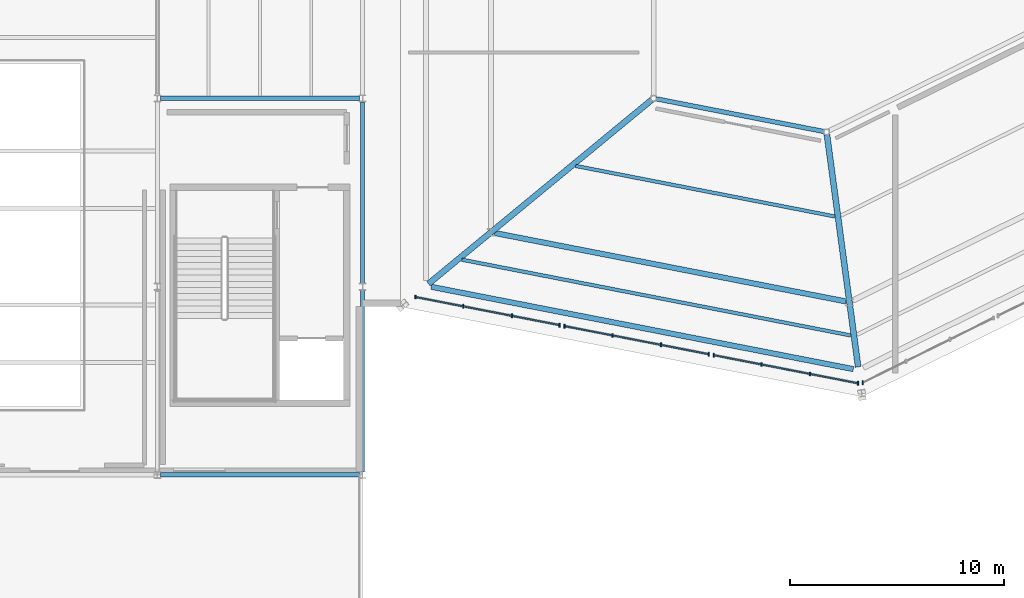
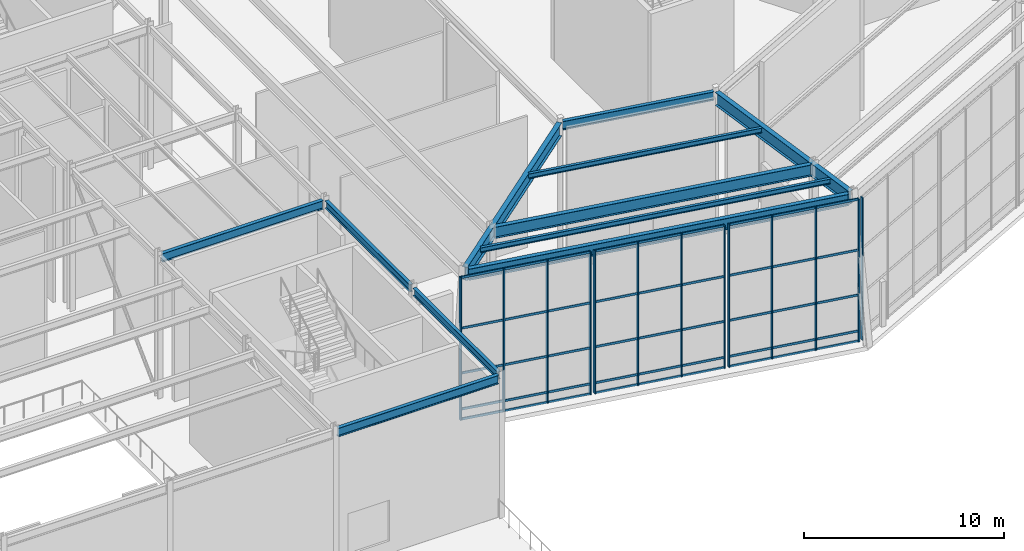
# One storey, part 15 of 48: 28 members, 11 beams, 4 elements without a shape of their own.
"""IFC4 building model written with IfcOpenShell, lengths in metres."""

from ifc_helpers import new_model, si_unit, direction, frame, origin, origin_2d, place, context, subcontext, project, spatial, rectangle, i_section, extrude, material, material_profile, profile_set, type_object, element, aggregate, save


model = new_model("IFC4")

# Units and contexts
model_context = context("Model", 3, precision=1e-05, world=origin(), true_north=direction((0.0, 1.0)))
body_context = subcontext(model_context, "Body", "Model", "MODEL_VIEW")
ifc_project = project(units=[si_unit("LENGTHUNIT", "METRE"), si_unit("AREAUNIT", "SQUARE_METRE"), si_unit("VOLUMEUNIT", "CUBIC_METRE"), si_unit("PLANEANGLEUNIT", "RADIAN"), si_unit("MASSUNIT", "GRAM", prefix="KILO")], contexts=[model_context])

# Site, building, storey
site_placement = place(None, origin())
site = spatial("IfcSite", under=ifc_project, at=site_placement, CompositionType="ELEMENT")
building_placement = place(site_placement, origin())
building = spatial("IfcBuilding", under=site, at=building_placement, Name="Sarnbrook Museum", CompositionType="ELEMENT")
storey_placement = place(building_placement, frame((0.0, 0.0, 19.10009765625)))
storey = spatial("IfcBuildingStorey", under=building, at=storey_placement, Name="L04", CompositionType="ELEMENT", Elevation=19.10009765625)

# Beams
ifc_material_1 = material(Name="Structural Steel Grade 300PLUS (AS/NZS 3679.1, fy = 280 MPa for 17 < t <= 40 mm, 300 MPa for t <= 17 mm)", Category="steel")
ifc_material_profile_1 = material_profile(ifc_material_1, i_section(OverallWidth=0.18994140625, OverallDepth=0.45703125, WebThickness=0.009033203125, FlangeThickness=0.014404296875, FilletRadius=0.011474609375, at=origin_2d()), Name="460UB74.6")
ifc_profile_set_1 = profile_set([ifc_material_profile_1], Name="Structural Steel Grade 300PLUS (AS/NZS 3679.1, fy = 280 MPa for 17 < t <= 40 mm, 300 MPa for t <= 17 mm)")
beam_type_1 = type_object("IfcBeamType", Name="BM-UB460", PredefinedType="BEAM", material=ifc_profile_set_1)
for number, where, z_axis, x_axis, name in (
    (1, (119.199951171875, 56.95751953125, 8.521484375), (0.0, 1.0, 0.0), (-1.0, 0.0, 0.0), "Girder 13:G-H L04"),
    (2, (119.199951171875, 65.757568359375, 8.521484375), (0.0, 1.0, 0.0), (-1.0, 0.0, 0.0), "Girder 13:H-J L04"),
):
    element("IfcBeam", number, at=place(storey_placement, frame(where, z_axis=z_axis, x_axis=x_axis)), inside=storey, type_object=beam_type_1, Name=name, PredefinedType="BEAM", context=body_context, shape_type="SweptSolid", body=[
        extrude(i_section(OverallWidth=0.18994140625, OverallDepth=0.45703125, WebThickness=0.009033203125, FlangeThickness=0.014404296875, FilletRadius=0.011474609375, at=origin_2d()), origin(), (0.0, 0.0, 1.0), 8.48486328125),
    ])
ifc_material_profile_2 = material_profile(ifc_material_1, i_section(OverallWidth=0.208984375, OverallDepth=0.532958984375, WebThickness=0.01025390625, FlangeThickness=0.015625, FilletRadius=0.013916015625, at=origin_2d()), Name="530UB92.4")
ifc_profile_set_2 = profile_set([ifc_material_profile_2], Name="Structural Steel Grade 300PLUS (AS/NZS 3679.1, fy = 280 MPa for 17 < t <= 40 mm, 300 MPa for t <= 17 mm)")
beam_type_2 = type_object("IfcBeamType", Name="BM-UB530", PredefinedType="BEAM", material=ifc_profile_set_2)
for number, where, z_axis, x_axis, name in (
    (3, (109.75341796875, 56.800048828125, 8.4833984375), (1.0, 0.0, 0.0), (0.0, 1.0, 0.0), "Girder G:12-13 L04"),
    (4, (109.75341796875, 74.39990234375, 8.4833984375), (1.0, 0.0, 0.0), (0.0, 1.0, 0.0), "Girder J:12-13 L04"),
):
    element("IfcBeam", number, at=place(storey_placement, frame(where, z_axis=z_axis, x_axis=x_axis)), inside=storey, type_object=beam_type_2, Name=name, PredefinedType="BEAM", context=body_context, shape_type="SweptSolid", body=[
        extrude(i_section(OverallWidth=0.208984375, OverallDepth=0.532958984375, WebThickness=0.01025390625, FlangeThickness=0.015625, FilletRadius=0.013916015625, at=origin_2d()), origin(), (0.0, 0.0, 1.0), 9.29296875),
    ])
beam_1_placement = place(storey_placement, frame((132.917724609375, 74.382080078125, 8.473388671875), z_axis=(0.981531426605, -0.191300963369, 0.0), x_axis=(0.191300963369, 0.981531426605, 0.0)))
element("IfcBeam", 5, at=beam_1_placement, inside=storey, type_object=beam_type_2, Name="Crystal Hall R2 Ring Girder 1 L04", PredefinedType="BEAM", context=body_context, shape_type="SweptSolid", body=[
    extrude(i_section(OverallWidth=0.208984375, OverallDepth=0.532958984375, WebThickness=0.01025390625, FlangeThickness=0.015625, FilletRadius=0.013916015625, at=origin_2d()), origin(), (0.0, 0.0, 1.0), 7.999267578125),
])
ifc_material_2 = material(Name="Structural Steel Grade 350L0 (AS/NZS 3678, fy = 340 MPa for 20 < t <= 40 mm)", Category="steel")
ifc_material_profile_3 = material_profile(ifc_material_2, i_section(OverallWidth=0.25, OverallDepth=0.699951171875, WebThickness=0.010009765625, FlangeThickness=0.01611328125, at=origin_2d()), Name="700WB130")
ifc_profile_set_3 = profile_set([ifc_material_profile_3], Name="Structural Steel Grade 350L0 (AS/NZS 3678, fy = 340 MPa for 20 < t <= 40 mm)")
beam_type_3 = type_object("IfcBeamType", Name="BM-WB700", PredefinedType="BEAM", material=ifc_profile_set_3)
beam_2_placement = place(storey_placement, frame((122.40771484375, 65.5927734375, 8.389892578125), z_axis=(0.98152660007, -0.191325725805, 0.0), x_axis=(0.191325725805, 0.98152660007, 0.0)))
element("IfcBeam", 6, at=beam_2_placement, inside=storey, type_object=beam_type_3, Name="Crystal Hall Perimeter Ring Girder 1 L04", PredefinedType="BEAM", context=body_context, shape_type="SweptSolid", body=[
    extrude(i_section(OverallWidth=0.25, OverallDepth=0.699951171875, WebThickness=0.010009765625, FlangeThickness=0.01611328125, at=origin_2d()), origin(), (0.0, 0.0, 1.0), 20.1015625),
])
beam_3_placement = place(storey_placement, frame((125.35693359375, 68.11279296875, 8.389892578125), z_axis=(0.981528590883, -0.191315512384, 0.0), x_axis=(0.191315512384, 0.981528590883, 0.0)))
element("IfcBeam", 7, at=beam_3_placement, inside=storey, type_object=beam_type_3, Name="Crystal Hall R1 Ring Girder 1 L04", PredefinedType="BEAM", context=body_context, shape_type="SweptSolid", body=[
    extrude(i_section(OverallWidth=0.25, OverallDepth=0.699951171875, WebThickness=0.010009765625, FlangeThickness=0.01611328125, at=origin_2d()), origin(), (0.0, 0.0, 1.0), 16.75146484375),
])
ifc_material_profile_4 = material_profile(ifc_material_2, i_section(OverallWidth=0.27490234375, OverallDepth=0.800048828125, WebThickness=0.010009765625, FlangeThickness=0.01611328125, at=origin_2d()), Name="800WB146")
ifc_profile_set_4 = profile_set([ifc_material_profile_4], Name="Structural Steel Grade 350L0 (AS/NZS 3678, fy = 340 MPa for 20 < t <= 40 mm)")
beam_type_4 = type_object("IfcBeamType", Name="CR-CANT", PredefinedType="BEAM", material=ifc_profile_set_4)
beam_4_placement = place(storey_placement, frame((132.70751953125, 74.328857421875, 8.33984375), z_axis=(-0.771791494758, -0.635875686451, 0.0), x_axis=(0.635875686451, -0.771791494758, 0.0)))
element("IfcBeam", 8, at=beam_4_placement, inside=storey, type_object=beam_type_4, Name="Crystal Hall Radial Cantilever Girder 1 L04", PredefinedType="BEAM", context=body_context, shape_type="SweptSolid", body=[
    extrude(i_section(OverallWidth=0.27490234375, OverallDepth=0.800048828125, WebThickness=0.010009765625, FlangeThickness=0.01611328125, at=origin_2d()), origin(), (0.0, 0.0, 1.0), 13.51318359375),
])
beam_5_placement = place(storey_placement, frame((140.9033203125, 72.7099609375, 8.33984375), z_axis=(0.13321130569, -0.991087659108, 0.0), x_axis=(0.991087659108, 0.13321130569, 0.0)))
element("IfcBeam", 9, at=beam_5_placement, inside=storey, type_object=beam_type_4, Name="Crystal Hall Radial Cantilever Girder 2 L04", PredefinedType="BEAM", context=body_context, shape_type="SweptSolid", body=[
    extrude(i_section(OverallWidth=0.27490234375, OverallDepth=0.800048828125, WebThickness=0.010009765625, FlangeThickness=0.01611328125, at=origin_2d()), origin(), (0.0, 0.0, 1.0), 10.959716796875),
])

# Curtain wall, members
ifc_material_3 = material(Name="Thermally Broken Anodised Aluminium 6063-T6", Category="aluminium")
curtain_wall_type = type_object("IfcCurtainWallType", Name="CurtainWall_CrystalFacet", PredefinedType="NOTDEFINED", material=ifc_material_3)
curtain_wall_1_placement = place(storey_placement, origin())
curtain_wall_1 = element("IfcCurtainWall", 10, at=curtain_wall_1_placement, inside=storey, type_object=curtain_wall_type, Name="Crystal Hall Facet Curtain Wall L04-F1.1", PredefinedType="NOTDEFINED")
ifc_material_profile_5 = material_profile(ifc_material_3, rectangle(XDim=0.06494140625, YDim=0.179931640625, at=origin_2d()), Name="ALU MULLION 65x180")
ifc_profile_set_5 = profile_set([ifc_material_profile_5], Name="Thermally Broken Anodised Aluminium 6063-T6")
member_type_1 = type_object("IfcMemberType", Name="CW_Mullion_180x75", PredefinedType="MULLION", material=ifc_profile_set_5)
member_1_placement = place(storey_placement, frame((121.67041015625, 65.115234375, 0.0), z_axis=(0.0, 0.0, 1.0), x_axis=(1.0, 0.0, 0.0)))
member_1 = element("IfcMember", 11, at=member_1_placement, type_object=member_type_1, Name="Crystal Hall Facet Curtain Wall L04-F1.1 Mullion 1", PredefinedType="MULLION", context=body_context, shape_type="SweptSolid", body=[
    extrude(rectangle(XDim=0.06494140625, YDim=0.179931640625, at=origin_2d()), origin(), (0.0, 0.0, 1.0), 8.739990234375),
])
member_2_placement = place(storey_placement, frame((123.90283203125, 64.68017578125, 0.0), z_axis=(0.0, 0.0, 1.0), x_axis=(1.0, 0.0, 0.0)))
member_2 = element("IfcMember", 12, at=member_2_placement, type_object=member_type_1, Name="Crystal Hall Facet Curtain Wall L04-F1.1 Mullion 2", PredefinedType="MULLION", context=body_context, shape_type="SweptSolid", body=[
    extrude(rectangle(XDim=0.06494140625, YDim=0.179931640625, at=origin_2d()), origin(), (0.0, 0.0, 1.0), 8.739990234375),
])
member_3_placement = place(storey_placement, frame((126.174560546875, 64.2373046875, 0.0), z_axis=(0.0, 0.0, 1.0), x_axis=(1.0, 0.0, 0.0)))
member_3 = element("IfcMember", 13, at=member_3_placement, type_object=member_type_1, Name="Crystal Hall Facet Curtain Wall L04-F1.1 Mullion 3", PredefinedType="MULLION", context=body_context, shape_type="SweptSolid", body=[
    extrude(rectangle(XDim=0.06494140625, YDim=0.179931640625, at=origin_2d()), origin(), (0.0, 0.0, 1.0), 8.739990234375),
])
member_4_placement = place(storey_placement, frame((128.406982421875, 63.80224609375, 0.0), z_axis=(0.0, 0.0, 1.0), x_axis=(1.0, 0.0, 0.0)))
member_4 = element("IfcMember", 14, at=member_4_placement, type_object=member_type_1, Name="Crystal Hall Facet Curtain Wall L04-F1.1 Mullion 4", PredefinedType="MULLION", context=body_context, shape_type="SweptSolid", body=[
    extrude(rectangle(XDim=0.06494140625, YDim=0.179931640625, at=origin_2d()), origin(), (0.0, 0.0, 1.0), 8.739990234375),
])

curtain_wall_2_placement = place(storey_placement, origin())
curtain_wall_2 = element("IfcCurtainWall", 15, at=curtain_wall_2_placement, inside=storey, type_object=curtain_wall_type, Name="Crystal Hall Facet Curtain Wall L04-F1.2", PredefinedType="NOTDEFINED")
member_5_placement = place(storey_placement, frame((128.642578125, 63.75634765625, 0.0), z_axis=(0.0, 0.0, 1.0), x_axis=(1.0, 0.0, 0.0)))
member_5 = element("IfcMember", 16, at=member_5_placement, type_object=member_type_1, Name="Crystal Hall Facet Curtain Wall L04-F1.2 Mullion 1", PredefinedType="MULLION", context=body_context, shape_type="SweptSolid", body=[
    extrude(rectangle(XDim=0.06494140625, YDim=0.179931640625, at=origin_2d()), origin(), (0.0, 0.0, 1.0), 8.739990234375),
])
member_6_placement = place(storey_placement, frame((130.875, 63.3212890625, 0.0), z_axis=(0.0, 0.0, 1.0), x_axis=(1.0, 0.0, 0.0)))
member_6 = element("IfcMember", 17, at=member_6_placement, type_object=member_type_1, Name="Crystal Hall Facet Curtain Wall L04-F1.2 Mullion 2", PredefinedType="MULLION", context=body_context, shape_type="SweptSolid", body=[
    extrude(rectangle(XDim=0.06494140625, YDim=0.179931640625, at=origin_2d()), origin(), (0.0, 0.0, 1.0), 8.739990234375),
])
member_7_placement = place(storey_placement, frame((133.146728515625, 62.87841796875, 0.0), z_axis=(0.0, 0.0, 1.0), x_axis=(1.0, 0.0, 0.0)))
member_7 = element("IfcMember", 18, at=member_7_placement, type_object=member_type_1, Name="Crystal Hall Facet Curtain Wall L04-F1.2 Mullion 3", PredefinedType="MULLION", context=body_context, shape_type="SweptSolid", body=[
    extrude(rectangle(XDim=0.06494140625, YDim=0.179931640625, at=origin_2d()), origin(), (0.0, 0.0, 1.0), 8.739990234375),
])
member_8_placement = place(storey_placement, frame((135.379150390625, 62.443359375, 0.0), z_axis=(0.0, 0.0, 1.0), x_axis=(1.0, 0.0, 0.0)))
member_8 = element("IfcMember", 19, at=member_8_placement, type_object=member_type_1, Name="Crystal Hall Facet Curtain Wall L04-F1.2 Mullion 4", PredefinedType="MULLION", context=body_context, shape_type="SweptSolid", body=[
    extrude(rectangle(XDim=0.06494140625, YDim=0.179931640625, at=origin_2d()), origin(), (0.0, 0.0, 1.0), 8.739990234375),
])

curtain_wall_3_placement = place(storey_placement, origin())
curtain_wall_3 = element("IfcCurtainWall", 20, at=curtain_wall_3_placement, inside=storey, type_object=curtain_wall_type, Name="Crystal Hall Facet Curtain Wall L04-F1.3", PredefinedType="NOTDEFINED")
member_9_placement = place(storey_placement, frame((135.61474609375, 62.3974609375, 0.0), z_axis=(0.0, 0.0, 1.0), x_axis=(1.0, 0.0, 0.0)))
member_9 = element("IfcMember", 21, at=member_9_placement, type_object=member_type_1, Name="Crystal Hall Facet Curtain Wall L04-F1.3 Mullion 1", PredefinedType="MULLION", context=body_context, shape_type="SweptSolid", body=[
    extrude(rectangle(XDim=0.06494140625, YDim=0.179931640625, at=origin_2d()), origin(), (0.0, 0.0, 1.0), 8.739990234375),
])
member_10_placement = place(storey_placement, frame((137.84716796875, 61.96240234375, 0.0), z_axis=(0.0, 0.0, 1.0), x_axis=(1.0, 0.0, 0.0)))
member_10 = element("IfcMember", 22, at=member_10_placement, type_object=member_type_1, Name="Crystal Hall Facet Curtain Wall L04-F1.3 Mullion 2", PredefinedType="MULLION", context=body_context, shape_type="SweptSolid", body=[
    extrude(rectangle(XDim=0.06494140625, YDim=0.179931640625, at=origin_2d()), origin(), (0.0, 0.0, 1.0), 8.739990234375),
])
member_11_placement = place(storey_placement, frame((140.118896484375, 61.51953125, 0.0), z_axis=(0.0, 0.0, 1.0), x_axis=(1.0, 0.0, 0.0)))
member_11 = element("IfcMember", 23, at=member_11_placement, type_object=member_type_1, Name="Crystal Hall Facet Curtain Wall L04-F1.3 Mullion 3", PredefinedType="MULLION", context=body_context, shape_type="SweptSolid", body=[
    extrude(rectangle(XDim=0.06494140625, YDim=0.179931640625, at=origin_2d()), origin(), (0.0, 0.0, 1.0), 8.739990234375),
])
member_12_placement = place(storey_placement, frame((142.351318359375, 61.08447265625, 0.0), z_axis=(0.0, 0.0, 1.0), x_axis=(1.0, 0.0, 0.0)))
member_12 = element("IfcMember", 24, at=member_12_placement, type_object=member_type_1, Name="Crystal Hall Facet Curtain Wall L04-F1.3 Mullion 4", PredefinedType="MULLION", context=body_context, shape_type="SweptSolid", body=[
    extrude(rectangle(XDim=0.06494140625, YDim=0.179931640625, at=origin_2d()), origin(), (0.0, 0.0, 1.0), 8.739990234375),
])

# Curtain wall, member
curtain_wall_4_placement = place(storey_placement, origin())
curtain_wall_4 = element("IfcCurtainWall", 25, at=curtain_wall_4_placement, inside=storey, type_object=curtain_wall_type, Name="Crystal Hall Facet Curtain Wall L04-F2.1", PredefinedType="NOTDEFINED")
member_13_placement = place(storey_placement, frame((142.57666015625, 61.114501953125, 0.0), z_axis=(0.0, 0.0, 1.0), x_axis=(1.0, 0.0, 0.0)))
member_13 = element("IfcMember", 26, at=member_13_placement, type_object=member_type_1, Name="Crystal Hall Facet Curtain Wall L04-F2.1 Mullion 1", PredefinedType="MULLION", context=body_context, shape_type="SweptSolid", body=[
    extrude(rectangle(XDim=0.06494140625, YDim=0.179931640625, at=origin_2d()), origin(), (0.0, 0.0, 1.0), 8.739990234375),
])
aggregate(curtain_wall_4, [member_13])

# Member
ifc_material_profile_6 = material_profile(ifc_material_3, rectangle(XDim=0.06494140625, YDim=0.139892578125, at=origin_2d()), Name="ALU TRANSOM 65x140")
ifc_profile_set_6 = profile_set([ifc_material_profile_6], Name="Thermally Broken Anodised Aluminium 6063-T6")
member_type_2 = type_object("IfcMemberType", Name="CW_Transom_150x65", PredefinedType="USERDEFINED", material=ifc_profile_set_6)
member_14_placement = place(storey_placement, frame((121.68017578125, 65.11328125, 0.039794921875), z_axis=(0.981533418656, -0.191290742225, 0.0), x_axis=(0.191290742225, 0.981533418656, 0.0)))
member_14 = element("IfcMember", 27, at=member_14_placement, type_object=member_type_2, Name="Crystal Hall Facet Curtain Wall L04-F1.1 Transom 1", ObjectType="TRANSOM", PredefinedType="USERDEFINED", context=body_context, shape_type="SweptSolid", body=[
    extrude(rectangle(XDim=0.06494140625, YDim=0.139892578125, at=origin_2d()), origin(), (0.0, 0.0, 1.0), 6.843505859375),
])

member_15_placement = place(storey_placement, frame((121.68017578125, 65.11328125, 0.64990234375), z_axis=(0.981533418656, -0.191290742225, 0.0), x_axis=(0.191290742225, 0.981533418656, 0.0)))
member_15 = element("IfcMember", 28, at=member_15_placement, type_object=member_type_2, Name="Crystal Hall Facet Curtain Wall L04-F1.1 Transom 2", ObjectType="TRANSOM", PredefinedType="USERDEFINED", context=body_context, shape_type="SweptSolid", body=[
    extrude(rectangle(XDim=0.06494140625, YDim=0.139892578125, at=origin_2d()), origin(), (0.0, 0.0, 1.0), 6.843505859375),
])

member_16_placement = place(storey_placement, frame((121.68017578125, 65.11328125, 2.849853515625), z_axis=(0.981533418656, -0.191290742225, 0.0), x_axis=(0.191290742225, 0.981533418656, 0.0)))
member_16 = element("IfcMember", 29, at=member_16_placement, type_object=member_type_2, Name="Crystal Hall Facet Curtain Wall L04-F1.1 Transom 3", ObjectType="TRANSOM", PredefinedType="USERDEFINED", context=body_context, shape_type="SweptSolid", body=[
    extrude(rectangle(XDim=0.06494140625, YDim=0.139892578125, at=origin_2d()), origin(), (0.0, 0.0, 1.0), 6.843505859375),
])

member_17_placement = place(storey_placement, frame((121.68017578125, 65.11328125, 5.599853515625), z_axis=(0.981533418656, -0.191290742225, 0.0), x_axis=(0.191290742225, 0.981533418656, 0.0)))
member_17 = element("IfcMember", 30, at=member_17_placement, type_object=member_type_2, Name="Crystal Hall Facet Curtain Wall L04-F1.1 Transom 4", ObjectType="TRANSOM", PredefinedType="USERDEFINED", context=body_context, shape_type="SweptSolid", body=[
    extrude(rectangle(XDim=0.06494140625, YDim=0.139892578125, at=origin_2d()), origin(), (0.0, 0.0, 1.0), 6.843505859375),
])

member_18_placement = place(storey_placement, frame((121.68017578125, 65.11328125, 8.699951171875), z_axis=(0.981533418656, -0.191290742225, 0.0), x_axis=(0.191290742225, 0.981533418656, 0.0)))
member_18 = element("IfcMember", 31, at=member_18_placement, type_object=member_type_2, Name="Crystal Hall Facet Curtain Wall L04-F1.1 Transom 5", ObjectType="TRANSOM", PredefinedType="USERDEFINED", context=body_context, shape_type="SweptSolid", body=[
    extrude(rectangle(XDim=0.06494140625, YDim=0.139892578125, at=origin_2d()), origin(), (0.0, 0.0, 1.0), 6.843505859375),
])

aggregate(curtain_wall_1, [member_1, member_2, member_3, member_4, member_14, member_15, member_16, member_17, member_18])

member_19_placement = place(storey_placement, frame((128.65234375, 63.75439453125, 0.039794921875), z_axis=(0.981533418656, -0.191290742225, 0.0), x_axis=(0.191290742225, 0.981533418656, 0.0)))
member_19 = element("IfcMember", 32, at=member_19_placement, type_object=member_type_2, Name="Crystal Hall Facet Curtain Wall L04-F1.2 Transom 1", ObjectType="TRANSOM", PredefinedType="USERDEFINED", context=body_context, shape_type="SweptSolid", body=[
    extrude(rectangle(XDim=0.06494140625, YDim=0.139892578125, at=origin_2d()), origin(), (0.0, 0.0, 1.0), 6.843505859375),
])

member_20_placement = place(storey_placement, frame((128.65234375, 63.75439453125, 0.64990234375), z_axis=(0.981533418656, -0.191290742225, 0.0), x_axis=(0.191290742225, 0.981533418656, 0.0)))
member_20 = element("IfcMember", 33, at=member_20_placement, type_object=member_type_2, Name="Crystal Hall Facet Curtain Wall L04-F1.2 Transom 2", ObjectType="TRANSOM", PredefinedType="USERDEFINED", context=body_context, shape_type="SweptSolid", body=[
    extrude(rectangle(XDim=0.06494140625, YDim=0.139892578125, at=origin_2d()), origin(), (0.0, 0.0, 1.0), 6.843505859375),
])

member_21_placement = place(storey_placement, frame((128.65234375, 63.75439453125, 2.849853515625), z_axis=(0.981533418656, -0.191290742225, 0.0), x_axis=(0.191290742225, 0.981533418656, 0.0)))
member_21 = element("IfcMember", 34, at=member_21_placement, type_object=member_type_2, Name="Crystal Hall Facet Curtain Wall L04-F1.2 Transom 3", ObjectType="TRANSOM", PredefinedType="USERDEFINED", context=body_context, shape_type="SweptSolid", body=[
    extrude(rectangle(XDim=0.06494140625, YDim=0.139892578125, at=origin_2d()), origin(), (0.0, 0.0, 1.0), 6.843505859375),
])

member_22_placement = place(storey_placement, frame((128.65234375, 63.75439453125, 5.599853515625), z_axis=(0.981533418656, -0.191290742225, 0.0), x_axis=(0.191290742225, 0.981533418656, 0.0)))
member_22 = element("IfcMember", 35, at=member_22_placement, type_object=member_type_2, Name="Crystal Hall Facet Curtain Wall L04-F1.2 Transom 4", ObjectType="TRANSOM", PredefinedType="USERDEFINED", context=body_context, shape_type="SweptSolid", body=[
    extrude(rectangle(XDim=0.06494140625, YDim=0.139892578125, at=origin_2d()), origin(), (0.0, 0.0, 1.0), 6.843505859375),
])

member_23_placement = place(storey_placement, frame((128.65234375, 63.75439453125, 8.699951171875), z_axis=(0.981533418656, -0.191290742225, 0.0), x_axis=(0.191290742225, 0.981533418656, 0.0)))
member_23 = element("IfcMember", 36, at=member_23_placement, type_object=member_type_2, Name="Crystal Hall Facet Curtain Wall L04-F1.2 Transom 5", ObjectType="TRANSOM", PredefinedType="USERDEFINED", context=body_context, shape_type="SweptSolid", body=[
    extrude(rectangle(XDim=0.06494140625, YDim=0.139892578125, at=origin_2d()), origin(), (0.0, 0.0, 1.0), 6.843505859375),
])

aggregate(curtain_wall_2, [member_5, member_6, member_7, member_8, member_19, member_20, member_21, member_22, member_23])

member_24_placement = place(storey_placement, frame((135.62451171875, 62.3955078125, 0.039794921875), z_axis=(0.981526719776, -0.191325111698, 0.0), x_axis=(0.191325111698, 0.981526719776, 0.0)))
member_24 = element("IfcMember", 37, at=member_24_placement, type_object=member_type_2, Name="Crystal Hall Facet Curtain Wall L04-F1.3 Transom 1", ObjectType="TRANSOM", PredefinedType="USERDEFINED", context=body_context, shape_type="SweptSolid", body=[
    extrude(rectangle(XDim=0.06494140625, YDim=0.139892578125, at=origin_2d()), origin(), (0.0, 0.0, 1.0), 6.843505859375),
])

member_25_placement = place(storey_placement, frame((135.62451171875, 62.3955078125, 0.64990234375), z_axis=(0.981526719776, -0.191325111698, 0.0), x_axis=(0.191325111698, 0.981526719776, 0.0)))
member_25 = element("IfcMember", 38, at=member_25_placement, type_object=member_type_2, Name="Crystal Hall Facet Curtain Wall L04-F1.3 Transom 2", ObjectType="TRANSOM", PredefinedType="USERDEFINED", context=body_context, shape_type="SweptSolid", body=[
    extrude(rectangle(XDim=0.06494140625, YDim=0.139892578125, at=origin_2d()), origin(), (0.0, 0.0, 1.0), 6.843505859375),
])

member_26_placement = place(storey_placement, frame((135.62451171875, 62.3955078125, 2.849853515625), z_axis=(0.981526719776, -0.191325111698, 0.0), x_axis=(0.191325111698, 0.981526719776, 0.0)))
member_26 = element("IfcMember", 39, at=member_26_placement, type_object=member_type_2, Name="Crystal Hall Facet Curtain Wall L04-F1.3 Transom 3", ObjectType="TRANSOM", PredefinedType="USERDEFINED", context=body_context, shape_type="SweptSolid", body=[
    extrude(rectangle(XDim=0.06494140625, YDim=0.139892578125, at=origin_2d()), origin(), (0.0, 0.0, 1.0), 6.843505859375),
])

member_27_placement = place(storey_placement, frame((135.62451171875, 62.3955078125, 5.599853515625), z_axis=(0.981526719776, -0.191325111698, 0.0), x_axis=(0.191325111698, 0.981526719776, 0.0)))
member_27 = element("IfcMember", 40, at=member_27_placement, type_object=member_type_2, Name="Crystal Hall Facet Curtain Wall L04-F1.3 Transom 4", ObjectType="TRANSOM", PredefinedType="USERDEFINED", context=body_context, shape_type="SweptSolid", body=[
    extrude(rectangle(XDim=0.06494140625, YDim=0.139892578125, at=origin_2d()), origin(), (0.0, 0.0, 1.0), 6.843505859375),
])

member_28_placement = place(storey_placement, frame((135.62451171875, 62.3955078125, 8.699951171875), z_axis=(0.981526719776, -0.191325111698, 0.0), x_axis=(0.191325111698, 0.981526719776, 0.0)))
member_28 = element("IfcMember", 41, at=member_28_placement, type_object=member_type_2, Name="Crystal Hall Facet Curtain Wall L04-F1.3 Transom 5", ObjectType="TRANSOM", PredefinedType="USERDEFINED", context=body_context, shape_type="SweptSolid", body=[
    extrude(rectangle(XDim=0.06494140625, YDim=0.139892578125, at=origin_2d()), origin(), (0.0, 0.0, 1.0), 6.843505859375),
])

aggregate(curtain_wall_3, [member_9, member_10, member_11, member_12, member_24, member_25, member_26, member_27, member_28])

# Beams
ifc_material_profile_7 = material_profile(ifc_material_1, i_section(OverallWidth=0.1650390625, OverallDepth=0.303955078125, WebThickness=0.006103515625, FlangeThickness=0.01025390625, FilletRadius=0.011474609375, at=origin_2d()), Name="310UB40.4")
ifc_profile_set_7 = profile_set([ifc_material_profile_7], Name="Structural Steel Grade 300PLUS (AS/NZS 3679.1, fy = 280 MPa for 17 < t <= 40 mm, 300 MPa for t <= 17 mm)")
beam_type_5 = type_object("IfcBeamType", Name="JS-UB310", PredefinedType="JOIST", material=ifc_profile_set_7)
beam_6_placement = place(storey_placement, frame((123.838134765625, 66.861328125, 8.587890625), z_axis=(0.981528895686, -0.19131394861, 0.0), x_axis=(0.19131394861, 0.981528895686, 0.0)))
element("IfcBeam", 42, at=beam_6_placement, inside=storey, type_object=beam_type_5, Name="Crystal Hall Tangential Joist MO-1 L04", PredefinedType="JOIST", context=body_context, shape_type="SweptSolid", body=[
    extrude(i_section(OverallWidth=0.1650390625, OverallDepth=0.303955078125, WebThickness=0.006103515625, FlangeThickness=0.01025390625, FilletRadius=0.011474609375, at=origin_2d()), origin(), (0.0, 0.0, 1.0), 18.5166015625),
])
beam_7_placement = place(storey_placement, frame((129.156982421875, 71.24365234375, 8.587890625), z_axis=(0.981530313101, -0.191306676475, 0.0), x_axis=(0.191306676475, 0.981530313101, 0.0)))
element("IfcBeam", 43, at=beam_7_placement, inside=storey, type_object=beam_type_5, Name="Crystal Hall Tangential Joist MI-1 L04", PredefinedType="JOIST", context=body_context, shape_type="SweptSolid", body=[
    extrude(i_section(OverallWidth=0.1650390625, OverallDepth=0.303955078125, WebThickness=0.006103515625, FlangeThickness=0.01025390625, FilletRadius=0.011474609375, at=origin_2d()), origin(), (0.0, 0.0, 1.0), 12.33544921875),
])

save(model, "model.ifc")
